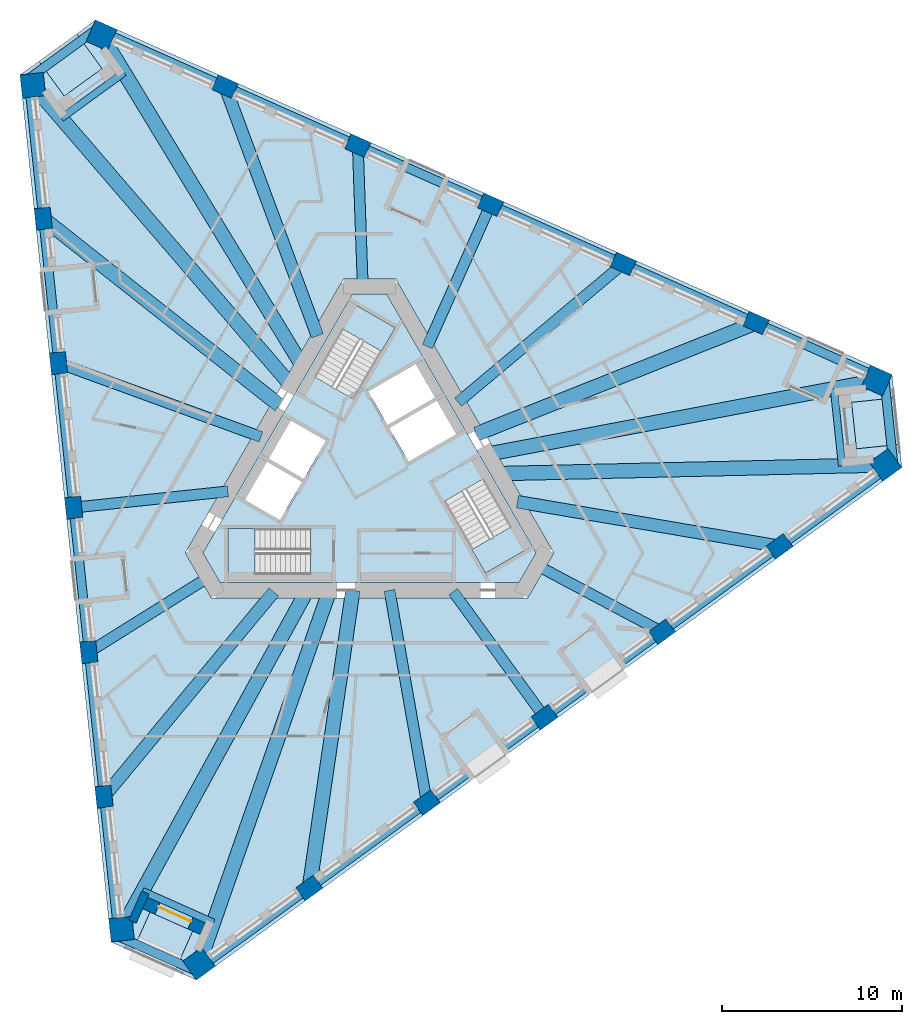
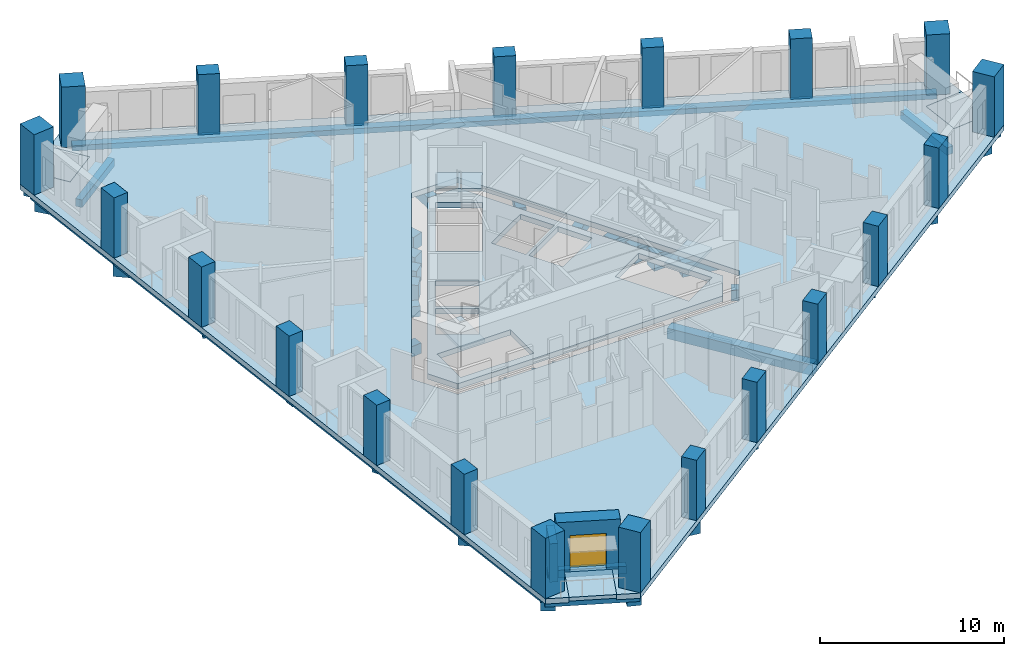
# One storey, part 1 of 14: 30 beams, 21 columns, 8 slabs, 2 walls, 1 door, 1 opening, 3 elements without a shape of their own.
"""IFC4 building model written with IfcOpenShell, lengths in metres."""

import ifcopenshell
import ifcopenshell.guid

model = None  # the IFC model being written
_history = None  # IfcOwnerHistory: only IFC2X3 demands one
_inside = {}  # id of a spatial element -> (the spatial element, [elements in it])
_under = {}  # id of a project, library or spatial element -> (it, [spatial elements below it])
_declared = {}  # id of a project -> (the project, [libraries it declares])
_typed = {}  # id of a type object -> (the type object, [elements of that type])
_made_of = {}  # id of a material, layer set ... -> (it, [elements and type objects made of it])


def new_model(schema):
    """Start an empty IFC model of exactly this schema.

    Asked for "IFC4X3", IfcOpenShell would pick the latest addendum, in which some entities
    have other attributes; the version numbers below select the first issue.
    IFC2X3 requires an IfcOwnerHistory on every rooted entity: one is made here for all.
    """
    global model, _history
    if schema == "IFC4X3":
        model = ifcopenshell.file(schema_version=(4, 3, 0, 0))
    else:
        model = ifcopenshell.file(schema=schema)
    _inside.clear()
    _under.clear()
    _declared.clear()
    _typed.clear()
    _made_of.clear()
    _history = None
    if model.schema == "IFC2X3":
        org = make("IfcOrganization", Name="unknown")
        user = make(
            "IfcPersonAndOrganization",
            ThePerson=make("IfcPerson", FamilyName="unknown"),
            TheOrganization=org,
        )
        app = make(
            "IfcApplication",
            ApplicationDeveloper=org,
            Version="unknown",
            ApplicationFullName="unknown",
            ApplicationIdentifier="unknown",
        )
        _history = make(
            "IfcOwnerHistory",
            OwningUser=user,
            OwningApplication=app,
            ChangeAction="ADDED",
            CreationDate=0,
        )
    return model


def make(cls, **values):
    """One entity of the class cls with the attributes given. An attribute that is None is left unset."""
    return model.create_entity(
        cls, **{name: value for name, value in values.items() if value is not None}
    )


def rooted(cls, **values):
    """An entity with a GlobalId (a new one), such as an element, a storey or a relation."""
    return make(cls, GlobalId=ifcopenshell.guid.new(), OwnerHistory=_history, **values)


def si_unit(unit_type, name, prefix=None):
    """IfcSIUnit, for example si_unit("LENGTHUNIT", "METRE", prefix="MILLI")."""
    return make("IfcSIUnit", UnitType=unit_type, Prefix=prefix, Name=name)


def assignment(units):
    """IfcUnitAssignment: the units of a project."""
    return None if units is None else make("IfcUnitAssignment", Units=units)


def point(xyz):
    """IfcCartesianPoint."""
    return None if xyz is None else make("IfcCartesianPoint", Coordinates=xyz)


def direction(xyz):
    """IfcDirection."""
    return None if xyz is None else make("IfcDirection", DirectionRatios=xyz)


def frame(location, z_axis=None, x_axis=None):
    """IfcAxis2Placement3D, a coordinate frame: its origin and axes. An axis left out is left unset."""
    return make(
        "IfcAxis2Placement3D",
        Location=point(location),
        Axis=direction(z_axis),
        RefDirection=direction(x_axis),
    )


def frame_2d(location, x_axis=None):
    """IfcAxis2Placement2D, a coordinate frame in the plane: its origin and x axis."""
    return make(
        "IfcAxis2Placement2D", Location=point(location), RefDirection=direction(x_axis)
    )


def origin():
    """The frame at (0, 0, 0) with its axes left unset."""
    return frame((0.0, 0.0, 0.0))


def origin_2d():
    """The frame at (0, 0) in the plane with its x axis left unset."""
    return frame_2d((0.0, 0.0))


def place(relative_to, where):
    """IfcLocalPlacement: puts the frame where relative to a parent placement (None: the world)."""
    return make(
        "IfcLocalPlacement", PlacementRelTo=relative_to, RelativePlacement=where
    )


def context(
    kind, dimensions, precision=None, world=None, true_north=None, identifier=None
):
    """IfcGeometricRepresentationContext, for example the 3D "Model" context."""
    return make(
        "IfcGeometricRepresentationContext",
        ContextIdentifier=identifier,
        ContextType=kind,
        CoordinateSpaceDimension=dimensions,
        Precision=precision,
        WorldCoordinateSystem=world,
        TrueNorth=true_north,
    )


def subcontext(parent, identifier, kind, view, scale=None):
    """IfcGeometricRepresentationSubContext, for example "Body" below "Model"."""
    return make(
        "IfcGeometricRepresentationSubContext",
        ContextIdentifier=identifier,
        ContextType=kind,
        ParentContext=parent,
        TargetScale=scale,
        TargetView=view,
    )


def project(units=None, contexts=None):
    """IfcProject with its units and contexts."""
    return rooted(
        "IfcProject",
        Name="project",
        RepresentationContexts=contexts,
        UnitsInContext=assignment(units),
    )


def spatial(cls, under=None, at=None, **own):
    """A site, building, storey or space (cls), placed at a placement, below another one or the project."""
    s = rooted(cls, ObjectPlacement=at, **own)
    if under is not None:
        _under.setdefault(under.id(), (under, []))[1].append(s)
    return s


def polyline(points):
    """IfcPolyline through the points."""
    return make("IfcPolyline", Points=[point(p) for p in points])


def profile(cls, at=None, kind="AREA", **sizes):
    """A parametric profile (cls). Its sizes go by their IFC names, for example OverallWidth=200.0."""
    return make(cls, ProfileType=kind, Position=at, **sizes)


def rectangle(**sizes):
    """IfcRectangleProfileDef."""
    return profile("IfcRectangleProfileDef", **sizes)


def outline(outer, holes=None, kind="AREA"):
    """IfcArbitraryClosedProfileDef: a profile drawn as a closed curve; with holes, ...WithVoids."""
    if holes is None:
        return make("IfcArbitraryClosedProfileDef", ProfileType=kind, OuterCurve=outer)
    return make(
        "IfcArbitraryProfileDefWithVoids",
        ProfileType=kind,
        OuterCurve=outer,
        InnerCurves=holes,
    )


def extrude(swept, where, along, depth):
    """IfcExtrudedAreaSolid: the profile swept, set in the frame where, extruded along a direction by depth."""
    return make(
        "IfcExtrudedAreaSolid",
        SweptArea=swept,
        Position=where,
        ExtrudedDirection=direction(along),
        Depth=depth,
    )


def shape(context_of_items, identifier, shape_type, items):
    """IfcShapeRepresentation: the items that make up one representation, for example the "Body"."""
    return make(
        "IfcShapeRepresentation",
        ContextOfItems=context_of_items,
        RepresentationIdentifier=identifier,
        RepresentationType=shape_type,
        Items=items,
    )


def material(Name=None, Category=None):
    """IfcMaterial."""
    return make("IfcMaterial", Name=Name, Category=Category)


def layer(
    of_material, thickness, ventilated=None, Name=None, Category=None, Priority=None
):
    """IfcMaterialLayer: one layer of a wall or slab, of a material (None: an air gap)."""
    return make(
        "IfcMaterialLayer",
        Material=of_material,
        LayerThickness=thickness,
        IsVentilated=ventilated,
        Name=Name,
        Category=Category,
        Priority=Priority,
    )


def layer_set(layers, Name=None):
    """IfcMaterialLayerSet."""
    return make("IfcMaterialLayerSet", MaterialLayers=layers, LayerSetName=Name)


def material_profile(
    of_material, cross_section, Name=None, Category=None, Priority=None
):
    """IfcMaterialProfile: a cross section and its material."""
    return make(
        "IfcMaterialProfile",
        Name=Name,
        Material=of_material,
        Profile=cross_section,
        Priority=Priority,
        Category=Category,
    )


def profile_set(profiles, Name=None, composite=None):
    """IfcMaterialProfileSet."""
    return make(
        "IfcMaterialProfileSet",
        Name=Name,
        MaterialProfiles=profiles,
        CompositeProfile=composite,
    )


def made_of(thing, what):
    """Note that an element or type object is made of a material, layer set ...; save() writes the relation."""
    if what is not None:
        _made_of.setdefault(what.id(), (what, []))[1].append(thing)
    return thing


def type_object(cls, material=None, **own):
    """A type object (cls), such as IfcWallType, which elements share."""
    return made_of(rooted(cls, **own), material)


def element(
    cls,
    number,
    at=None,
    inside=None,
    cuts=None,
    type_object=None,
    material=None,
    context=None,
    identifier="Body",
    shape_type=None,
    held_by="IfcProductDefinitionShape",
    body=None,
    shapes=None,
    **own,
):
    """One element of the class cls, such as IfcWall. Its Tag is "e" and its number.

    at: its placement. inside: the storey or other place that contains it. cuts: it is an
    opening in that element (IfcRelVoidsElement). A single representation is given by context,
    identifier, shape_type and body (its items); several are given by shapes. held_by: the class
    of the entity that holds the representations. save() writes the other relations.
    """
    e = rooted(cls, Tag="e%d" % number, ObjectPlacement=at, **own)
    if body is not None:
        shapes = [shape(context, identifier, shape_type, body)]
    if shapes is not None:
        e.Representation = make(held_by, Representations=shapes)
    if inside is not None:
        _inside.setdefault(inside.id(), (inside, []))[1].append(e)
    if cuts is not None:
        rooted(
            "IfcRelVoidsElement", RelatingBuildingElement=cuts, RelatedOpeningElement=e
        )
    if type_object is not None:
        _typed.setdefault(type_object.id(), (type_object, []))[1].append(e)
    return made_of(e, material)


def fill(opening, filler):
    """IfcRelFillsElement: the door or window that sits in an opening."""
    return rooted(
        "IfcRelFillsElement",
        RelatingOpeningElement=opening,
        RelatedBuildingElement=filler,
    )


def aggregate(whole, parts):
    """IfcRelAggregates: a whole, such as a stair, and the parts it consists of."""
    return rooted("IfcRelAggregates", RelatingObject=whole, RelatedObjects=parts)


def save(model, path):
    """Write the relations noted so far, then the file.

    IfcRelAggregates (storeys below a building ...), IfcRelContainedInSpatialStructure (elements
    in a storey), IfcRelDefinesByType, IfcRelAssociatesMaterial and IfcRelDeclares: one each for
    every whole, place, type object, material and project.
    """
    for whole, parts in _under.values():
        aggregate(whole, parts)
    for where, things in _inside.values():
        rooted(
            "IfcRelContainedInSpatialStructure",
            RelatedElements=things,
            RelatingStructure=where,
        )
    for kind, things in _typed.values():
        rooted("IfcRelDefinesByType", RelatedObjects=things, RelatingType=kind)
    for what, things in _made_of.values():
        rooted("IfcRelAssociatesMaterial", RelatedObjects=things, RelatingMaterial=what)
    for by, libraries in _declared.values():
        rooted("IfcRelDeclares", RelatingContext=by, RelatedDefinitions=libraries)
    model.write(path)


model = new_model("IFC4")

# Units and contexts
model_context = context("Model", 3, precision=1e-05, world=origin(), true_north=direction((0.0, 1.0)))
body_context = subcontext(model_context, "Body", "Model", "MODEL_VIEW")
ifc_project = project(units=[si_unit("LENGTHUNIT", "METRE"), si_unit("AREAUNIT", "SQUARE_METRE"), si_unit("VOLUMEUNIT", "CUBIC_METRE"), si_unit("PLANEANGLEUNIT", "RADIAN"), si_unit("MASSUNIT", "GRAM", prefix="KILO")], contexts=[model_context])

# Site, building, storey
site_placement = place(None, origin())
site = spatial("IfcSite", under=ifc_project, at=site_placement, CompositionType="ELEMENT")
building_placement = place(site_placement, origin())
building = spatial("IfcBuilding", under=site, at=building_placement, Name="Tramontana Tower", CompositionType="ELEMENT")
storey_placement = place(building_placement, frame((0.0, 0.0, 186.800048828125)))
storey = spatial("IfcBuildingStorey", under=building, at=storey_placement, Name="L43", CompositionType="ELEMENT", Elevation=186.800048828125)

# Columns
ifc_material_1 = material(Name="Concrete 55 MPa", Category="concrete")
ifc_material_profile_1 = material_profile(ifc_material_1, rectangle(XDim=1.300048828125, YDim=1.300048828125, at=origin_2d()), Name="Mega column 1300X1300 55 MPa")
ifc_profile_set_1 = profile_set([ifc_material_profile_1], Name="Concrete 55 MPa")
column_type_1 = type_object("IfcColumnType", Name="Mega column 1300X1300 55 MPa", PredefinedType="COLUMN", material=ifc_profile_set_1)
for number, where, z_axis, x_axis, name in (
    (1, (-18.72705078125, 21.760498046875, 0.0), (0.0, 0.0, 1.0), (0.104528463268, -0.994521895368, 0.0), "Mega column C4K1 L43"),
    (2, (-13.793701171875, -25.178466796875, 0.0), (0.0, 0.0, 1.0), (0.104528463268, -0.994521895368, 0.0), "Mega column C4K2 L43"),
    (3, (-9.4814453125, -27.098388671875, 0.0), (0.0, 0.0, 1.0), (0.809016994375, 0.587785252292, 0.0), "Mega column C4K3 L43"),
    (4, (28.7021484375, 0.6435546875, 0.0), (0.0, 0.0, 1.0), (0.809016994375, 0.587785252292, 0.0), "Mega column C4K4 L43"),
    (5, (28.208740234375, 5.337890625, 0.0), (0.0, 0.0, 1.0), (-0.913545457643, 0.406736643076, 0.0), "Mega column C4K5 L43"),
    (6, (-14.908447265625, 24.534912109375, 0.0), (0.0, 0.0, 1.0), (-0.913545457643, 0.406736643076, 0.0), "Mega column C4K6 L43"),
):
    element("IfcColumn", number, at=place(storey_placement, frame(where, z_axis=z_axis, x_axis=x_axis)), inside=storey, type_object=column_type_1, Name=name, PredefinedType="COLUMN", context=body_context, shape_type="SweptSolid", body=[
        extrude(rectangle(XDim=1.300048828125, YDim=1.300048828125, at=origin_2d()), origin(), (0.0, 0.0, 1.0), 4.0),
    ])
ifc_material_2 = material(Name="Concrete 55 MPa", Category="concrete")
ifc_material_profile_2 = material_profile(ifc_material_2, rectangle(XDim=1.199951171875, YDim=0.89990234375, at=origin_2d()), Name="Pier column 1200X900 55 MPa")
ifc_profile_set_2 = profile_set([ifc_material_profile_2], Name="Concrete 55 MPa")
column_type_2 = type_object("IfcColumnType", Name="Pier column 1200X900 55 MPa", PredefinedType="COLUMN", material=ifc_profile_set_2)
for number, where, z_axis, x_axis, name in (
    (7, (-18.149169921875, 14.347412109375, 0.0), (0.0, 0.0, 1.0), (0.104528463268, -0.994521895368, 0.0), "Pier column C4F01 L43"),
    (8, (-17.30419921875, 6.30859375, 0.0), (0.0, 0.0, 1.0), (0.104528463268, -0.994521895368, 0.0), "Pier column C4F02 L43"),
    (9, (-16.459228515625, -1.72998046875, 0.0), (0.0, 0.0, 1.0), (0.104528463268, -0.994521895368, 0.0), "Pier column C4F03 L43"),
    (10, (-15.614501953125, -9.7685546875, 0.0), (0.0, 0.0, 1.0), (0.104528463268, -0.994521895368, 0.0), "Pier column C4F04 L43"),
    (11, (-14.76953125, -17.80712890625, 0.0), (0.0, 0.0, 1.0), (0.104528463268, -0.994521895368, 0.0), "Pier column C4F05 L43"),
    (12, (-3.3505859375, -22.891357421875, 0.0), (0.0, 0.0, 1.0), (0.809016994375, 0.587785252292, 0.0), "Pier column C4F06 L43"),
    (13, (3.188720703125, -18.14013671875, 0.0), (0.0, 0.0, 1.0), (0.809016994375, 0.587785252292, 0.0), "Pier column C4F07 L43"),
    (14, (9.727783203125, -13.38916015625, 0.0), (0.0, 0.0, 1.0), (0.809016994375, 0.587785252292, 0.0), "Pier column C4F08 L43"),
    (15, (16.26708984375, -8.63818359375, 0.0), (0.0, 0.0, 1.0), (0.809016994375, 0.587785252292, 0.0), "Pier column C4F09 L43"),
    (16, (22.80615234375, -3.88720703125, 0.0), (0.0, 0.0, 1.0), (0.809016994375, 0.587785252292, 0.0), "Pier column C4F10 L43"),
    (17, (21.499755859375, 8.5439453125, 0.0), (0.0, 0.0, 1.0), (-0.913545457643, 0.406736643076, 0.0), "Pier column C4F11 L43"),
    (18, (14.115478515625, 11.83154296875, 0.0), (0.0, 0.0, 1.0), (-0.913545457643, 0.406736643076, 0.0), "Pier column C4F12 L43"),
    (19, (6.7314453125, 15.119140625, 0.0), (0.0, 0.0, 1.0), (-0.913545457643, 0.406736643076, 0.0), "Pier column C4F13 L43"),
    (20, (-0.652587890625, 18.40673828125, 0.0), (0.0, 0.0, 1.0), (-0.913545457643, 0.406736643076, 0.0), "Pier column C4F14 L43"),
    (21, (-8.03662109375, 21.6943359375, 0.0), (0.0, 0.0, 1.0), (-0.913545457643, 0.406736643076, 0.0), "Pier column C4F15 L43"),
):
    element("IfcColumn", number, at=place(storey_placement, frame(where, z_axis=z_axis, x_axis=x_axis)), inside=storey, type_object=column_type_2, Name=name, PredefinedType="COLUMN", context=body_context, shape_type="SweptSolid", body=[
        extrude(rectangle(XDim=1.199951171875, YDim=0.89990234375, at=origin_2d()), origin(), (0.0, 0.0, 1.0), 4.0),
    ])

# Beams
ifc_material_3 = material(Name="Concrete 40 MPa", Category="concrete")
ifc_material_profile_3 = material_profile(ifc_material_3, rectangle(XDim=0.5, YDim=0.35009765625, at=origin_2d()), Name="RC EDGE BEAM 500X350 40 MPa")
ifc_profile_set_3 = profile_set([ifc_material_profile_3], Name="Concrete 40 MPa")
beam_type_1 = type_object("IfcBeamType", Name="RC EDGE BEAM 500X350 40 MPa", PredefinedType="SPANDREL", material=ifc_profile_set_3)
for number, where, z_axis, x_axis, name in (
    (22, (-18.926025390625, 21.739501953125, -0.525146484375), (0.104525646884, -0.994522191378, 0.0), (0.994522191378, 0.104525646884, 0.0), "Spandrel beam S0 L43"),
    (23, (-9.364013671875, -27.26025390625, -0.525146484375), (0.809017612716, 0.587784401218, 0.0), (-0.587784401218, 0.809017612716, 0.0), "Spandrel beam S1 L43"),
):
    element("IfcBeam", number, at=place(storey_placement, frame(where, z_axis=z_axis, x_axis=x_axis)), inside=storey, type_object=beam_type_1, Name=name, PredefinedType="SPANDREL", context=body_context, shape_type="SweptSolid", body=[
        extrude(rectangle(XDim=0.5, YDim=0.35009765625, at=origin_2d()), origin(), (0.0, 0.0, 1.0), 47.197509765625),
    ])
beam_1_placement = place(storey_placement, frame((28.2900390625, 5.520751953125, -0.525146484375), z_axis=(-0.913546423332, 0.406734474095, 0.0), x_axis=(-0.406734474095, -0.913546423332, 0.0)))
element("IfcBeam", 24, at=beam_1_placement, inside=storey, type_object=beam_type_1, Name="Spandrel beam S2 L43", PredefinedType="SPANDREL", context=body_context, shape_type="SweptSolid", body=[
    extrude(rectangle(XDim=0.5, YDim=0.35009765625, at=origin_2d()), origin(), (0.0, 0.0, 1.0), 47.197265625),
])
beam_2_placement = place(storey_placement, frame((-14.973388671875, 25.029052734375, -0.525146484375), z_axis=(-0.809008263593, -0.587797268995, 0.0), x_axis=(0.587797268995, -0.809008263593, 0.0)))
element("IfcBeam", 25, at=beam_2_placement, inside=storey, type_object=beam_type_1, Name="Spandrel beam K0 L43", PredefinedType="SPANDREL", context=body_context, shape_type="SweptSolid", body=[
    extrude(rectangle(XDim=0.5, YDim=0.35009765625, at=origin_2d()), origin(), (0.0, 0.0, 1.0), 5.196044921875),
])
for number, where, z_axis, x_axis, name in (
    (26, (-14.189208984375, -25.481689453125, -0.525146484375), (0.91354592127, -0.40673560175, 0.0), (0.40673560175, 0.91354592127, 0.0), "Spandrel beam K1 L43"),
    (27, (29.162353515625, 0.45263671875, -0.525146484375), (-0.104494011766, 0.994525515764, 0.0), (-0.994525515764, -0.104494011766, 0.0), "Spandrel beam K2 L43"),
):
    element("IfcBeam", number, at=place(storey_placement, frame(where, z_axis=z_axis, x_axis=x_axis)), inside=storey, type_object=beam_type_1, Name=name, PredefinedType="SPANDREL", context=body_context, shape_type="SweptSolid", body=[
        extrude(rectangle(XDim=0.5, YDim=0.35009765625, at=origin_2d()), origin(), (0.0, 0.0, 1.0), 5.1962890625),
    ])
ifc_material_4 = material(Name="Concrete 40 MPa", Category="concrete")
ifc_material_profile_4 = material_profile(ifc_material_4, rectangle(XDim=0.60009765625, YDim=0.699951171875, at=origin_2d()), Name="RC GIRDER 600X700 40 MPa")
ifc_profile_set_4 = profile_set([ifc_material_profile_4], Name="Concrete 40 MPa")
beam_type_2 = type_object("IfcBeamType", Name="RC GIRDER 600X700 40 MPa", PredefinedType="BEAM", material=ifc_profile_set_4)
beam_3_placement = place(storey_placement, frame((-17.30419921875, 6.30859375, -0.699951171875), z_axis=(0.939513090247, -0.342512997205, 0.0), x_axis=(0.342512997205, 0.939513090247, 0.0)))
element("IfcBeam", 28, at=beam_3_placement, inside=storey, type_object=beam_type_2, Name="Radial girder C4F02 L43", PredefinedType="BEAM", context=body_context, shape_type="SweptSolid", body=[
    extrude(rectangle(XDim=0.60009765625, YDim=0.699951171875, at=origin_2d()), origin(), (0.0, 0.0, 1.0), 11.989990234375),
])
beam_4_placement = place(storey_placement, frame((-16.459228515625, -1.72998046875, -0.699951171875), z_axis=(0.994520630985, 0.104540492367, 0.0), x_axis=(-0.104540492367, 0.994520630985, 0.0)))
element("IfcBeam", 29, at=beam_4_placement, inside=storey, type_object=beam_type_2, Name="Radial girder C4F03 L43", PredefinedType="BEAM", context=body_context, shape_type="SweptSolid", body=[
    extrude(rectangle(XDim=0.60009765625, YDim=0.699951171875, at=origin_2d()), origin(), (0.0, 0.0, 1.0), 8.631591796875),
])
beam_5_placement = place(storey_placement, frame((-15.614501953125, -9.7685546875, -0.699951171875), z_axis=(0.847767192537, 0.530368539091, 0.0), x_axis=(-0.530368539091, 0.847767192537, 0.0)))
element("IfcBeam", 30, at=beam_5_placement, inside=storey, type_object=beam_type_2, Name="Radial girder C4F04 L43", PredefinedType="BEAM", context=body_context, shape_type="SweptSolid", body=[
    extrude(rectangle(XDim=0.60009765625, YDim=0.699951171875, at=origin_2d()), origin(), (0.0, 0.0, 1.0), 7.83642578125),
])
beam_6_placement = place(storey_placement, frame((3.188720703125, -18.14013671875, -0.699951171875), z_axis=(-0.173139447083, 0.984897320467, 0.0), x_axis=(-0.984897320467, -0.173139447083, 0.0)))
element("IfcBeam", 31, at=beam_6_placement, inside=storey, type_object=beam_type_2, Name="Radial girder C4F07 L43", PredefinedType="BEAM", context=body_context, shape_type="SweptSolid", body=[
    extrude(rectangle(XDim=0.60009765625, YDim=0.699951171875, at=origin_2d()), origin(), (0.0, 0.0, 1.0), 11.989990234375),
])
beam_7_placement = place(storey_placement, frame((9.727783203125, -13.38916015625, -0.699951171875), z_axis=(-0.587793224159, 0.809011202415, 0.0), x_axis=(-0.809011202415, -0.587793224159, 0.0)))
element("IfcBeam", 32, at=beam_7_placement, inside=storey, type_object=beam_type_2, Name="Radial girder C4F08 L43", PredefinedType="BEAM", context=body_context, shape_type="SweptSolid", body=[
    extrude(rectangle(XDim=0.60009765625, YDim=0.699951171875, at=origin_2d()), origin(), (0.0, 0.0, 1.0), 8.63134765625),
])
beam_8_placement = place(storey_placement, frame((16.26708984375, -8.63818359375, -0.699951171875), z_axis=(-0.883198396805, 0.468999564905, 0.0), x_axis=(-0.468999564905, -0.883198396805, 0.0)))
element("IfcBeam", 33, at=beam_8_placement, inside=storey, type_object=beam_type_2, Name="Radial girder C4F09 L43", PredefinedType="BEAM", context=body_context, shape_type="SweptSolid", body=[
    extrude(rectangle(XDim=0.60009765625, YDim=0.699951171875, at=origin_2d()), origin(), (0.0, 0.0, 1.0), 7.83642578125),
])
beam_9_placement = place(storey_placement, frame((14.115478515625, 11.83154296875, -0.699951171875), z_axis=(-0.766377147971, -0.642390898961, 0.0), x_axis=(0.642390898961, -0.766377147971, 0.0)))
element("IfcBeam", 34, at=beam_9_placement, inside=storey, type_object=beam_type_2, Name="Radial girder C4F12 L43", PredefinedType="BEAM", context=body_context, shape_type="SweptSolid", body=[
    extrude(rectangle(XDim=0.60009765625, YDim=0.699951171875, at=origin_2d()), origin(), (0.0, 0.0, 1.0), 11.98974609375),
])
beam_10_placement = place(storey_placement, frame((6.7314453125, 15.119140625, -0.699951171875), z_axis=(-0.406736735655, -0.913545416424, 0.0), x_axis=(0.913545416424, -0.406736735655, 0.0)))
element("IfcBeam", 35, at=beam_10_placement, inside=storey, type_object=beam_type_2, Name="Radial girder C4F13 L43", PredefinedType="BEAM", context=body_context, shape_type="SweptSolid", body=[
    extrude(rectangle(XDim=0.60009765625, YDim=0.699951171875, at=origin_2d()), origin(), (0.0, 0.0, 1.0), 8.631591796875),
])
beam_11_placement = place(storey_placement, frame((-0.652587890625, 18.40673828125, -0.699951171875), z_axis=(0.035422608777, -0.999372422467, 0.0), x_axis=(0.999372422467, 0.035422608777, 0.0)))
element("IfcBeam", 36, at=beam_11_placement, inside=storey, type_object=beam_type_2, Name="Radial girder C4F14 L43", PredefinedType="BEAM", context=body_context, shape_type="SweptSolid", body=[
    extrude(rectangle(XDim=0.60009765625, YDim=0.699951171875, at=origin_2d()), origin(), (0.0, 0.0, 1.0), 7.83642578125),
])
ifc_material_5 = material(Name="Concrete 40 MPa", Category="concrete")
ifc_material_profile_5 = material_profile(ifc_material_5, rectangle(XDim=0.699951171875, YDim=0.89990234375, at=origin_2d()), Name="RC GIRDER 700X900 40 MPa")
ifc_profile_set_5 = profile_set([ifc_material_profile_5], Name="Concrete 40 MPa")
beam_type_3 = type_object("IfcBeamType", Name="RC GIRDER 700X900 40 MPa", PredefinedType="BEAM", material=ifc_profile_set_5)
for number, where, z_axis, x_axis, name in (
    (37, (-14.76953125, -17.80712890625, -0.800048828125), (0.638406477844, 0.769699401745, 0.0), (-0.769699401745, 0.638406477844, 0.0), "Radial girder C4F05 L43"),
    (38, (22.806396484375, -3.88720703125, -0.800048828125), (-0.985783673381, 0.168019490821, 0.0), (-0.168019490821, -0.985783673381, 0.0), "Radial girder C4F10 L43"),
    (39, (-8.03662109375, 21.6943359375, -0.800048828125), (0.347381556139, -0.93772386898, 0.0), (0.93772386898, 0.347381556139, 0.0), "Radial girder C4F15 L43"),
):
    element("IfcBeam", number, at=place(storey_placement, frame(where, z_axis=z_axis, x_axis=x_axis)), inside=storey, type_object=beam_type_3, Name=name, PredefinedType="BEAM", context=body_context, shape_type="SweptSolid", body=[
        extrude(rectangle(XDim=0.699951171875, YDim=0.89990234375, at=origin_2d()), origin(), (0.0, 0.0, 1.0), 14.79052734375),
    ])
ifc_material_6 = material(Name="Concrete 40 MPa", Category="concrete")
ifc_material_profile_6 = material_profile(ifc_material_6, rectangle(XDim=0.800048828125, YDim=1.10009765625, at=origin_2d()), Name="RC GIRDER 800X1100 40 MPa")
ifc_profile_set_6 = profile_set([ifc_material_profile_6], Name="Concrete 40 MPa")
beam_type_4 = type_object("IfcBeamType", Name="RC GIRDER 800X1100 40 MPa", PredefinedType="BEAM", material=ifc_profile_set_6)
beam_12_placement = place(storey_placement, frame((-18.727294921875, 21.760498046875, -0.900146484375), z_axis=(0.652300085393, -0.757960816004, 0.0), x_axis=(0.757960816004, 0.652300085393, 0.0)))
element("IfcBeam", 40, at=beam_12_placement, inside=storey, type_object=beam_type_4, Name="Radial girder C4K1 L43", PredefinedType="BEAM", context=body_context, shape_type="SweptSolid", body=[
    extrude(rectangle(XDim=0.800048828125, YDim=1.10009765625, at=origin_2d()), origin(), (0.0, 0.0, 1.0), 21.983154296875),
])
beam_13_placement = place(storey_placement, frame((-18.149169921875, 14.347412109375, -0.900146484375), z_axis=(0.784478628915, -0.620155852005, 0.0), x_axis=(0.620155852005, 0.784478628915, 0.0)))
element("IfcBeam", 41, at=beam_13_placement, inside=storey, type_object=beam_type_4, Name="Radial girder C4F01 L43", PredefinedType="BEAM", context=body_context, shape_type="SweptSolid", body=[
    extrude(rectangle(XDim=0.800048828125, YDim=1.10009765625, at=origin_2d()), origin(), (0.0, 0.0, 1.0), 16.73828125),
])
beam_14_placement = place(storey_placement, frame((-13.793701171875, -25.178466796875, -0.900146484375), z_axis=(0.480462301802, 0.877015379881, 0.0), x_axis=(-0.877015379881, 0.480462301802, 0.0)))
element("IfcBeam", 42, at=beam_14_placement, inside=storey, type_object=beam_type_4, Name="Radial girder C4K2 L43", PredefinedType="BEAM", context=body_context, shape_type="SweptSolid", body=[
    extrude(rectangle(XDim=0.800048828125, YDim=1.10009765625, at=origin_2d()), origin(), (0.0, 0.0, 1.0), 21.437744140625),
])
beam_15_placement = place(storey_placement, frame((-9.4814453125, -27.098388671875, -0.900146484375), z_axis=(0.330256430983, 0.943891248924, 0.0), x_axis=(-0.943891248924, 0.330256430983, 0.0)))
element("IfcBeam", 43, at=beam_15_placement, inside=storey, type_object=beam_type_4, Name="Radial girder C4K3 L43", PredefinedType="BEAM", context=body_context, shape_type="SweptSolid", body=[
    extrude(rectangle(XDim=0.800048828125, YDim=1.10009765625, at=origin_2d()), origin(), (0.0, 0.0, 1.0), 21.98291015625),
])
beam_16_placement = place(storey_placement, frame((-3.3505859375, -22.891357421875, -0.900146484375), z_axis=(0.144822515675, 0.989457648893, 0.0), x_axis=(-0.989457648893, 0.144822515675, 0.0)))
element("IfcBeam", 44, at=beam_16_placement, inside=storey, type_object=beam_type_4, Name="Radial girder C4F06 L43", PredefinedType="BEAM", context=body_context, shape_type="SweptSolid", body=[
    extrude(rectangle(XDim=0.800048828125, YDim=1.10009765625, at=origin_2d()), origin(), (0.0, 0.0, 1.0), 16.73828125),
])
beam_17_placement = place(storey_placement, frame((28.701904296875, 0.6435546875, -0.900146484375), z_axis=(-0.999748807881, -0.022412521973, 0.0), x_axis=(0.022412521973, -0.999748807881, 0.0)))
element("IfcBeam", 45, at=beam_17_placement, inside=storey, type_object=beam_type_4, Name="Radial girder C4K4 L43", PredefinedType="BEAM", context=body_context, shape_type="SweptSolid", body=[
    extrude(rectangle(XDim=0.800048828125, YDim=1.10009765625, at=origin_2d()), origin(), (0.0, 0.0, 1.0), 21.4375),
])
beam_18_placement = place(storey_placement, frame((28.20849609375, 5.337890625, -0.900146484375), z_axis=(-0.982562021037, -0.185935136045, 0.0), x_axis=(0.185935136045, -0.982562021037, 0.0)))
element("IfcBeam", 46, at=beam_18_placement, inside=storey, type_object=beam_type_4, Name="Radial girder C4K5 L43", PredefinedType="BEAM", context=body_context, shape_type="SweptSolid", body=[
    extrude(rectangle(XDim=0.800048828125, YDim=1.10009765625, at=origin_2d()), origin(), (0.0, 0.0, 1.0), 21.98291015625),
])
beam_19_placement = place(storey_placement, frame((21.499755859375, 8.5439453125, -0.900146484375), z_axis=(-0.929307244414, -0.369307521558, 0.0), x_axis=(0.369307521558, -0.929307244414, 0.0)))
element("IfcBeam", 47, at=beam_19_placement, inside=storey, type_object=beam_type_4, Name="Radial girder C4F11 L43", PredefinedType="BEAM", context=body_context, shape_type="SweptSolid", body=[
    extrude(rectangle(XDim=0.800048828125, YDim=1.10009765625, at=origin_2d()), origin(), (0.0, 0.0, 1.0), 16.738525390625),
])
beam_20_placement = place(storey_placement, frame((-14.908447265625, 24.534912109375, -0.900146484375), z_axis=(0.519297566275, -0.854593492639, 0.0), x_axis=(0.854593492639, 0.519297566275, 0.0)))
element("IfcBeam", 48, at=beam_20_placement, inside=storey, type_object=beam_type_4, Name="Radial girder C4K6 L43", PredefinedType="BEAM", context=body_context, shape_type="SweptSolid", body=[
    extrude(rectangle(XDim=0.800048828125, YDim=1.10009765625, at=origin_2d()), origin(), (0.0, 0.0, 1.0), 21.437744140625),
])
ifc_material_7 = material(Name="Concrete 40 MPa", Category="concrete")
ifc_material_profile_7 = material_profile(ifc_material_7, rectangle(XDim=0.39990234375, YDim=0.5, at=origin_2d()), Name="RC TRIM BEAM 400X500 40 MPa")
ifc_profile_set_7 = profile_set([ifc_material_profile_7], Name="Concrete 40 MPa")
beam_type_5 = type_object("IfcBeamType", Name="RC TRIM BEAM 400X500 40 MPa", PredefinedType="JOIST", material=ifc_profile_set_7)
for number, where, z_axis, x_axis, name in (
    (49, (-13.651611328125, 22.466552734375, -0.60009765625), (-0.808997350037, -0.587812289453, 0.0), (0.587812289453, -0.808997350037, 0.0), "Trimmer beam K0 L43"),
    (50, (-12.630859375, -23.055908203125, -0.60009765625), (0.913548159873, -0.406730573714, 0.0), (0.406730573714, 0.913548159873, 0.0), "Trimmer beam K1 L43"),
):
    element("IfcBeam", number, at=place(storey_placement, frame(where, z_axis=z_axis, x_axis=x_axis)), inside=storey, type_object=beam_type_5, Name=name, PredefinedType="JOIST", context=body_context, shape_type="SweptSolid", body=[
        extrude(rectangle(XDim=0.39990234375, YDim=0.5, at=origin_2d()), origin(), (0.0, 0.0, 1.0), 4.322509765625),
    ])
beam_21_placement = place(storey_placement, frame((26.282470703125, 0.58935546875, -0.60009765625), z_axis=(-0.104552471013, 0.99451937176, 0.0), x_axis=(-0.99451937176, -0.104552471013, 0.0)))
element("IfcBeam", 51, at=beam_21_placement, inside=storey, type_object=beam_type_5, Name="Trimmer beam K2 L43", PredefinedType="JOIST", context=body_context, shape_type="SweptSolid", body=[
    extrude(rectangle(XDim=0.39990234375, YDim=0.5, at=origin_2d()), origin(), (0.0, 0.0, 1.0), 4.322265625),
])

# Slabs
ifc_material_8 = material(Name="Precast concrete 50 MPa", Category="concrete")
ifc_layer_1 = layer(ifc_material_8, 0.25)
ifc_layer_set_1 = layer_set([ifc_layer_1], Name="LT1 Loggia floor tray 250")
slab_type_1 = type_object("IfcSlabType", Name="LT1 Loggia floor tray 250", PredefinedType="FLOOR", material=ifc_layer_set_1)
slab_1_placement = place(storey_placement, frame((0.0, 0.0, -0.25)))
element("IfcSlab", 52, at=slab_1_placement, inside=storey, type_object=slab_type_1, Name="Corner loggia floor L43 K40", PredefinedType="FLOOR", context=body_context, shape_type="SweptSolid", body=[
    extrude(outline(polyline([(-16.287841796875, 24.630126953125), (-14.877197265625, 22.6884765625), (-16.980712890625, 21.16015625), (-18.391357421875, 23.101806640625), (-16.287841796875, 24.630126953125)])), origin(), (0.0, 0.0, 1.0), 0.25),
])
slab_2_placement = place(storey_placement, frame((0.0, 0.0, -0.25)))
element("IfcSlab", 53, at=slab_2_placement, inside=storey, type_object=slab_type_1, Name="Corner loggia floor L43 K41", PredefinedType="FLOOR", context=body_context, shape_type="SweptSolid", body=[
    extrude(outline(polyline([(-13.186279296875, -26.4208984375), (-12.210205078125, -24.228271484375), (-9.8349609375, -25.285888671875), (-10.81103515625, -27.478271484375), (-13.186279296875, -26.4208984375)])), origin(), (0.0, 0.0, 1.0), 0.25),
])
slab_3_placement = place(storey_placement, frame((0.0, 0.0, -0.25)))
element("IfcSlab", 54, at=slab_3_placement, inside=storey, type_object=slab_type_1, Name="Corner loggia floor L43 K42", PredefinedType="FLOOR", context=body_context, shape_type="SweptSolid", body=[
    extrude(outline(polyline([(29.474365234375, 1.790771484375), (27.08740234375, 1.539794921875), (26.815673828125, 4.12548828125), (29.202392578125, 4.37646484375), (29.474365234375, 1.790771484375)])), origin(), (0.0, 0.0, 1.0), 0.25),
])
ifc_material_9 = material(Name="Concrete 40 MPa", Category="concrete")
ifc_layer_2 = layer(ifc_material_9, 0.35009765625)
ifc_layer_set_2 = layer_set([ifc_layer_2], Name="PT FLAT SLAB 350 40 MPa")
slab_type_2 = type_object("IfcSlabType", Name="PT FLAT SLAB 350 40 MPa", PredefinedType="FLOOR", material=ifc_layer_set_2)
slab_4_placement = place(storey_placement, frame((0.0, 0.0, -0.35009765625)))
element("IfcSlab", 55, at=slab_4_placement, inside=storey, type_object=slab_type_2, Name="Floor slab L43", PredefinedType="FLOOR", context=body_context, shape_type="SweptSolid", body=[
    extrude(outline(polyline([(29.202392578125, 4.37646484375), (26.815673828125, 4.12548828125), (27.08740234375, 1.539794921875), (29.474365234375, 1.790771484375), (29.610107421875, 0.499755859375), (-9.625244140625, -28.00634765625), (-10.81103515625, -27.478271484375), (-9.8349609375, -25.285888671875), (-12.210205078125, -24.228271484375), (-13.186279296875, -26.4208984375), (-14.372314453125, -25.892822265625), (-19.441650390625, 22.3388671875), (-18.391357421875, 23.101806640625), (-16.980712890625, 21.16015625), (-14.877197265625, 22.6884765625), (-16.287841796875, 24.630126953125), (-15.23779296875, 25.39306640625), (29.06689453125, 5.66748046875), (29.202392578125, 4.37646484375)]), holes=[polyline([(-10.248046875, -4.25), (-8.8046875, -6.75), (8.8046875, -6.75), (10.248046875, -4.25), (1.443359375, 11.0), (-1.443359375, 11.0), (-10.248046875, -4.25)])]), origin(), (0.0, 0.0, 1.0), 0.35009765625),
])
slab_5_placement = place(storey_placement, frame((0.0, 0.0, -0.35009765625)))
element("IfcSlab", 56, at=slab_5_placement, inside=storey, type_object=slab_type_2, Name="Core floor slab L43", PredefinedType="FLOOR", context=body_context, shape_type="SweptSolid", body=[
    extrude(outline(polyline([(9.2666015625, -4.25), (8.313720703125, -5.89990234375), (-8.313720703125, -5.89990234375), (-9.2666015625, -4.25), (-0.95263671875, 10.14990234375), (0.95263671875, 10.14990234375), (9.2666015625, -4.25)]), holes=[polyline([(8.659912109375, -4.099365234375), (6.35986328125, -0.115478515625), (4.151611328125, -1.390625), (6.451416015625, -5.374267578125), (8.659912109375, -4.099365234375)]), polyline([(3.829833984375, 4.2666015625), (1.101806640625, 2.69140625), (2.177001953125, 0.82958984375), (4.90478515625, 2.404541015625), (3.829833984375, 4.2666015625)]), polyline([(2.65478515625, 6.3017578125), (-0.072998046875, 4.726806640625), (1.001953125, 2.86474609375), (3.729736328125, 4.439697265625), (2.65478515625, 6.3017578125)]), polyline([(-0.77978515625, 9.54931640625), (-3.079833984375, 5.565673828125), (-0.87158203125, 4.29052734375), (1.428466796875, 8.2744140625), (-0.77978515625, 9.54931640625)]), polyline([(-5.689697265625, 1.044921875), (-3.65478515625, -0.130126953125), (-2.4296875, 1.99169921875), (-4.46484375, 3.166748046875), (-5.689697265625, 1.044921875)]), polyline([(-3.280029296875, -5.449951171875), (-3.280029296875, -2.89990234375), (-7.8798828125, -2.89990234375), (-7.8798828125, -5.449951171875), (-3.280029296875, -5.449951171875)]), polyline([(-7.014892578125, -1.25), (-4.979736328125, -2.425048828125), (-3.754638671875, -0.30322265625), (-5.789794921875, 0.87158203125), (-7.014892578125, -1.25)])]), origin(), (0.0, 0.0, 1.0), 0.35009765625),
])

# Stair, slab
ifc_material_10 = material(Name="Concrete 40 MPa", Category="concrete")
stair_type = type_object("IfcStairType", Name="EXIT STAIR 24 RISERS", PredefinedType="HALF_TURN_STAIR", material=ifc_material_10)
stair_1_placement = place(storey_placement, origin())
stair_1 = element("IfcStair", 57, at=stair_1_placement, inside=storey, type_object=stair_type, Name="L43 Exit stair ST1", PredefinedType="HALF_TURN_STAIR")
ifc_material_11 = material(Name="Concrete 40 MPa", Category="concrete")
ifc_layer_3 = layer(ifc_material_11, 0.199951171875)
ifc_layer_set_3 = layer_set([ifc_layer_3], Name="STAIR LANDING 200")
slab_type_3 = type_object("IfcSlabType", Name="STAIR LANDING 200", PredefinedType="LANDING", material=ifc_layer_set_3)
slab_6_placement = place(storey_placement, frame((0.0, 0.0, 1.800048828125)))
slab_6 = element("IfcSlab", 58, at=slab_6_placement, type_object=slab_type_3, Name="ST1 landing 1", PredefinedType="LANDING", context=body_context, shape_type="SweptSolid", body=[
    extrude(outline(polyline([(0.66845703125, 6.9580078125), (1.428466796875, 8.274169921875), (-0.77978515625, 9.54931640625), (-1.539794921875, 8.23291015625), (0.66845703125, 6.9580078125)])), origin(), (0.0, 0.0, 1.0), 0.199951171875),
])
aggregate(stair_1, [slab_6])

stair_2_placement = place(storey_placement, origin())
stair_2 = element("IfcStair", 59, at=stair_2_placement, inside=storey, type_object=stair_type, Name="L43 Exit stair ST2", PredefinedType="HALF_TURN_STAIR")
slab_7_placement = place(storey_placement, frame((0.0, 0.0, 1.800048828125)))
slab_7 = element("IfcSlab", 60, at=slab_7_placement, type_object=slab_type_3, Name="ST2 landing 1", PredefinedType="LANDING", context=body_context, shape_type="SweptSolid", body=[
    extrude(outline(polyline([(-6.360107421875, -2.89990234375), (-7.8798828125, -2.89990234375), (-7.8798828125, -5.449951171875), (-6.360107421875, -5.449951171875), (-6.360107421875, -2.89990234375)])), origin(), (0.0, 0.0, 1.0), 0.199951171875),
])
aggregate(stair_2, [slab_7])

stair_3_placement = place(storey_placement, origin())
stair_3 = element("IfcStair", 61, at=stair_3_placement, inside=storey, type_object=stair_type, Name="L43 Exit stair ST3", PredefinedType="HALF_TURN_STAIR")
slab_8_placement = place(storey_placement, frame((0.0, 0.0, 1.800048828125)))
slab_8 = element("IfcSlab", 62, at=slab_8_placement, type_object=slab_type_3, Name="ST3 landing 1", PredefinedType="LANDING", context=body_context, shape_type="SweptSolid", body=[
    extrude(outline(polyline([(5.69140625, -4.057861328125), (6.451416015625, -5.374267578125), (8.659912109375, -4.099365234375), (7.89990234375, -2.782958984375), (5.69140625, -4.057861328125)])), origin(), (0.0, 0.0, 1.0), 0.199951171875),
])
aggregate(stair_3, [slab_8])

# Wall
ifc_material_12 = material(Name="Precast concrete 60 MPa", Category="concrete")
ifc_layer_4 = layer(ifc_material_12, 0.449951171875)
ifc_layer_set_4 = layer_set([ifc_layer_4], Name="Precast concrete 60 MPa, 450 mm")
wall_type_1 = type_object("IfcWallType", Name="EW1 Stone-faced precast wall 450", PredefinedType="SOLIDWALL", material=ifc_layer_set_4)
wall_1_placement = place(storey_placement, frame((-13.184326171875, -24.757080078125, 0.0), z_axis=(0.0, 0.0, 1.0), x_axis=(0.406698557215, 0.913562413609, 0.0)))
element("IfcWall", 63, at=wall_1_placement, inside=storey, type_object=wall_type_1, Name="Corner loggia side wall L43 K41r", PredefinedType="SOLIDWALL", context=body_context, shape_type="SweptSolid", body=[
    extrude(rectangle(XDim=1.779296875, YDim=0.449951171875, at=frame_2d((0.8896484375, 0.0))), origin(), (0.0, 0.0, 1.0), 2.550048828125),
])

# Wall, opening, door
ifc_material_13 = material(Name="Precast concrete 60 MPa", Category="concrete")
ifc_layer_5 = layer(ifc_material_13, 0.89990234375)
ifc_layer_set_5 = layer_set([ifc_layer_5], Name="EW2 Stone-faced corner loggia wall 900")
wall_type_2 = type_object("IfcWallType", Name="EW2 Stone-faced corner loggia wall 900", PredefinedType="SOLIDWALL", material=ifc_layer_set_5)
wall_2_placement = place(storey_placement, frame((-9.24072265625, -25.057861328125, 0.0), z_axis=(0.0, 0.0, 1.0), x_axis=(-0.913549606868, 0.406727323635, 0.0)))
wall_2 = element("IfcWall", 64, at=wall_2_placement, inside=storey, type_object=wall_type_2, Name="Corner loggia wall L43 K41", PredefinedType="SOLIDWALL", context=body_context, shape_type="SweptSolid", body=[
    extrude(rectangle(XDim=3.5, YDim=0.89990234375, at=frame_2d((1.75, 0.0))), origin(), (0.0, 0.0, 1.0), 3.300048828125),
])
opening_placement = place(wall_2_placement, frame((0.75, 0.0, 0.0)))
opening = element("IfcOpeningElement", 65, at=opening_placement, cuts=wall_2, Name="Opening BD-41C", PredefinedType="OPENING", context=body_context, shape_type="SweptSolid", body=[
    extrude(rectangle(XDim=2.0, YDim=2.39990234375, at=frame_2d((1.0, 1.199951171875))), frame((0.0, 0.4599609375, 0.0), z_axis=(0.0, -1.0, 0.0), x_axis=(1.0, 0.0, 0.0)), (0.0, 0.0, 1.0), 0.919921875),
])
ifc_material_14 = material(Name="Aluminum frame, double glazing unit", Category="aluminium")
door_type = type_object("IfcDoorType", Name="BC1 Sliding door 2 x 2.4", OperationType="SLIDING_TO_LEFT", PredefinedType="DOOR", material=ifc_material_14)
door_placement = place(opening_placement, origin())
door = element("IfcDoor", 66, at=door_placement, inside=storey, type_object=door_type, Name="Corner loggia door L43 K41", OperationType="SLIDING_TO_LEFT", OverallHeight=2.39990234375, OverallWidth=2.0, PredefinedType="DOOR", context=body_context, shape_type="SweptSolid", body=[
    extrude(rectangle(XDim=2.0, YDim=2.39990234375, at=frame_2d((1.0, 1.199951171875))), frame((0.0, 0.02490234375, 0.0), z_axis=(0.0, -1.0, 0.0), x_axis=(1.0, 0.0, 0.0)), (0.0, 0.0, 1.0), 0.050048828125),
])
fill(opening, door)

save(model, "model.ifc")
